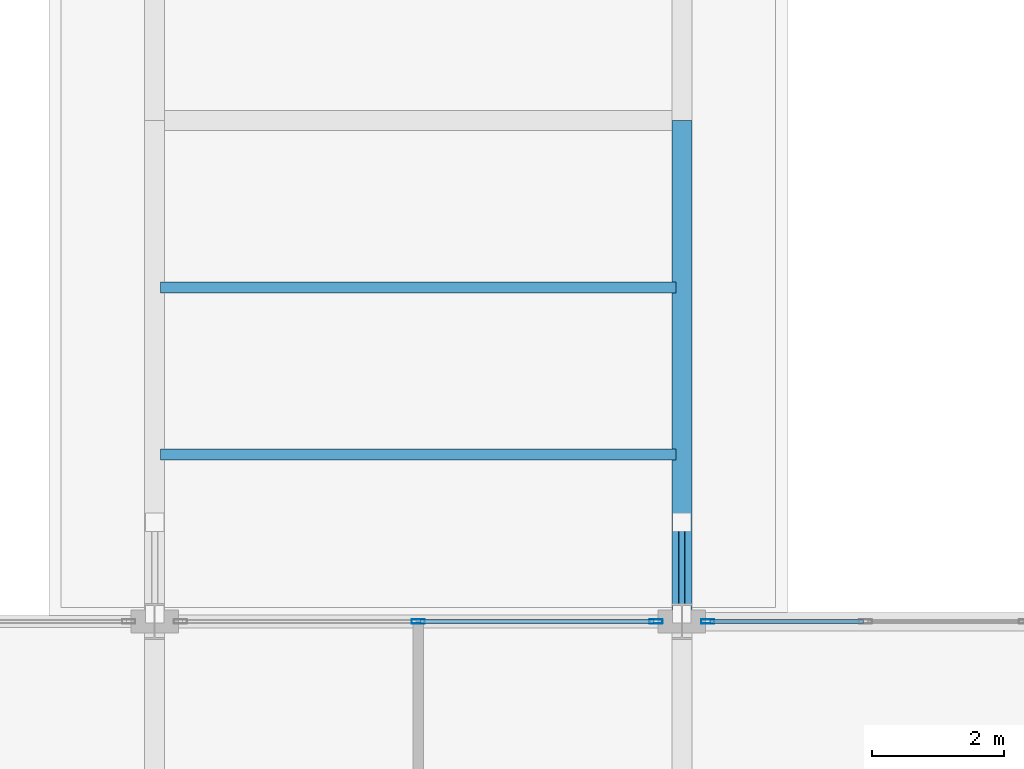
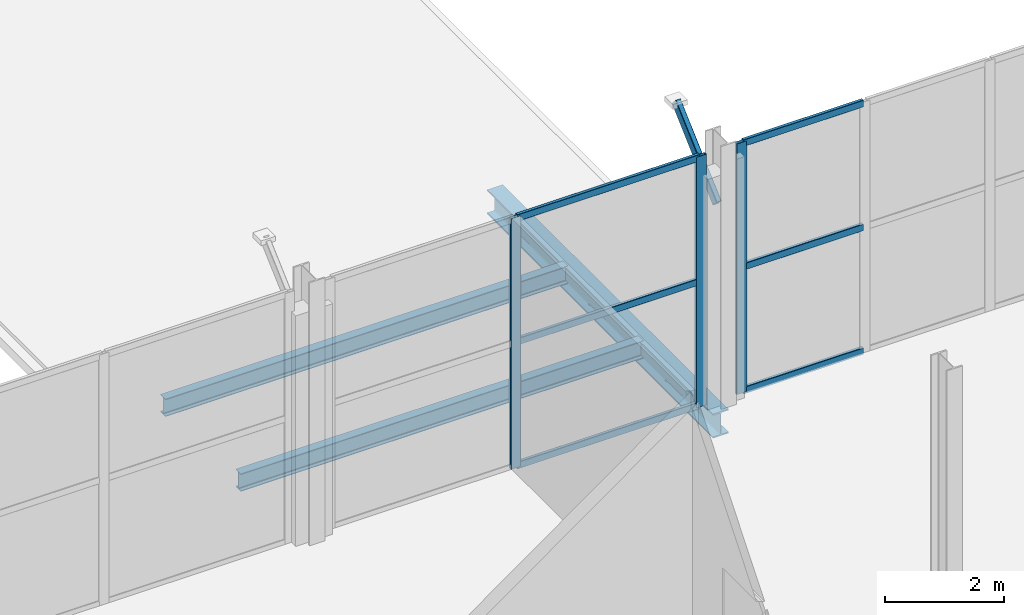
# One storey, part 30 of 147: 10 members, 3 beams, 2 elements without a shape of their own.
"""IFC4 building model written with IfcOpenShell, lengths in metres."""

from ifc_helpers import new_model, si_unit, direction, frame, origin, origin_2d, place, context, subcontext, project, spatial, hollow_rectangle, i_section, extrude, material, layer, layer_set, material_profile, profile_set, type_object, element, aggregate, save


model = new_model("IFC4")

# Units and contexts
model_context = context("Model", 3, precision=1e-05, world=origin(), true_north=direction((0.0, 1.0)))
body_context = subcontext(model_context, "Body", "Model", "MODEL_VIEW")
ifc_project = project(units=[si_unit("LENGTHUNIT", "METRE"), si_unit("AREAUNIT", "SQUARE_METRE"), si_unit("VOLUMEUNIT", "CUBIC_METRE"), si_unit("PLANEANGLEUNIT", "RADIAN"), si_unit("MASSUNIT", "GRAM", prefix="KILO")], contexts=[model_context])

# Site, building, storey
site_placement = place(None, origin())
site = spatial("IfcSite", under=ifc_project, at=site_placement, CompositionType="ELEMENT")
building_placement = place(site_placement, origin())
building = spatial("IfcBuilding", under=site, at=building_placement, Name="Vekula Escarpment Museum", CompositionType="ELEMENT")
storey_placement = place(building_placement, frame((0.0, 0.0, 7.800048828125)))
storey = spatial("IfcBuildingStorey", under=building, at=storey_placement, Name="L02", CompositionType="ELEMENT", Elevation=7.800048828125)

# Beams
ifc_material_1 = material(Name="Steel S355", Category="steel")
ifc_material_profile_1 = material_profile(ifc_material_1, i_section(OverallWidth=0.300048828125, OverallDepth=0.5, WebThickness=0.014404296875, FlangeThickness=0.028076171875, FilletRadius=0.027099609375, at=origin_2d()), Name="HEB 500")
ifc_profile_set_1 = profile_set([ifc_material_profile_1], Name="Steel S355")
beam_type_1 = type_object("IfcBeamType", Name="BM-GIRD-HEB500", PredefinedType="BEAM", material=ifc_profile_set_1)
beam_placement = place(storey_placement, frame((102.0, 15.199951171875, -0.510009765625), z_axis=(0.0, 1.0, 0.0), x_axis=(-1.0, 0.0, 0.0)))
element("IfcBeam", 1, at=beam_placement, inside=storey, type_object=beam_type_1, Name="Beam Y L02 1170", PredefinedType="BEAM", context=body_context, shape_type="SweptSolid", body=[
    extrude(i_section(OverallWidth=0.300048828125, OverallDepth=0.5, WebThickness=0.014404296875, FlangeThickness=0.028076171875, FilletRadius=0.027099609375, at=origin_2d()), origin(), (0.0, 0.0, 1.0), 7.60009765625),
])
ifc_material_2 = material(Name="Steel S355", Category="steel")
ifc_material_profile_2 = material_profile(ifc_material_2, i_section(OverallWidth=0.169921875, OverallDepth=0.360107421875, WebThickness=0.008056640625, FlangeThickness=0.0126953125, FilletRadius=0.01806640625, at=origin_2d()), Name="IPE 360")
ifc_profile_set_2 = profile_set([ifc_material_profile_2], Name="Steel S355")
beam_type_2 = type_object("IfcBeamType", Name="BM-JST-IPE360", PredefinedType="JOIST", material=ifc_profile_set_2)
for number, where, z_axis, x_axis, name in (
    (2, (94.090087890625, 17.7333984375, -0.43994140625), (1.0, 0.0, 0.0), (0.0, 1.0, 0.0), "Secondary Joist L02 0768"),
    (3, (94.090087890625, 20.2666015625, -0.43994140625), (1.0, 0.0, 0.0), (0.0, 1.0, 0.0), "Secondary Joist L02 0769"),
):
    element("IfcBeam", number, at=place(storey_placement, frame(where, z_axis=z_axis, x_axis=x_axis)), inside=storey, type_object=beam_type_2, Name=name, PredefinedType="JOIST", context=body_context, shape_type="SweptSolid", body=[
        extrude(i_section(OverallWidth=0.169921875, OverallDepth=0.360107421875, WebThickness=0.008056640625, FlangeThickness=0.0126953125, FilletRadius=0.01806640625, at=origin_2d()), origin(), (0.0, 0.0, 1.0), 7.81982421875),
    ])

# Curtain wall, member
ifc_material_3 = material(Name="Aluminium thermally broken framing", Category="aluminium")
ifc_layer_1 = layer(ifc_material_3, 0.139892578125)
ifc_layer_set_1 = layer_set([ifc_layer_1], Name="Aluminium thermally broken framing")
curtain_wall_type_1 = type_object("IfcCurtainWallType", Name="CW-SYS-06", PredefinedType="NOTDEFINED", material=ifc_layer_set_1)
curtain_wall_1_placement = place(storey_placement, origin())
curtain_wall_1 = element("IfcCurtainWall", 4, at=curtain_wall_1_placement, inside=storey, type_object=curtain_wall_type_1, Name="Curtain Wall CW-L02-096", PredefinedType="NOTDEFINED")
ifc_material_4 = material(Name="Aluminium anodized mullion", Category="aluminium")
ifc_material_profile_3 = material_profile(ifc_material_4, hollow_rectangle(XDim=0.06494140625, YDim=0.199951171875, WallThickness=0.00390625, InnerFilletRadius=0.00390625, OuterFilletRadius=0.008056640625, at=origin_2d()), Name="ALU 200x65x4")
ifc_profile_set_3 = profile_set([ifc_material_profile_3], Name="Aluminium anodized mullion")
member_type_1 = type_object("IfcMemberType", Name="CW-MUL-200", PredefinedType="MULLION", material=ifc_profile_set_3)
member_1_placement = place(storey_placement, frame((102.392578125, 15.199951171875, 0.0), z_axis=(0.0, 0.0, 1.0), x_axis=(0.0, -1.0, 0.0)))
member_1 = element("IfcMember", 5, at=member_1_placement, type_object=member_type_1, Name="CW-06 mullion 4", PredefinedType="MULLION", context=body_context, shape_type="SweptSolid", body=[
    extrude(hollow_rectangle(XDim=0.06494140625, YDim=0.199951171875, WallThickness=0.00390625, InnerFilletRadius=0.00390625, OuterFilletRadius=0.008056640625, at=origin_2d()), origin(), (0.0, 0.0, 1.0), 5.14990234375),
])

# Curtain wall, members
ifc_material_5 = material(Name="Aluminium thermally broken framing", Category="aluminium")
ifc_layer_2 = layer(ifc_material_5, 0.179931640625)
ifc_layer_set_2 = layer_set([ifc_layer_2], Name="Aluminium thermally broken framing")
curtain_wall_type_2 = type_object("IfcCurtainWallType", Name="CW-SYS-07", PredefinedType="NOTDEFINED", material=ifc_layer_set_2)
curtain_wall_2_placement = place(storey_placement, origin())
curtain_wall_2 = element("IfcCurtainWall", 6, at=curtain_wall_2_placement, inside=storey, type_object=curtain_wall_type_2, Name="Curtain Wall CW-L02-097", PredefinedType="NOTDEFINED")
member_2_placement = place(storey_placement, frame((101.607421875, 15.199951171875, 0.0), z_axis=(0.0, 0.0, 1.0), x_axis=(0.0, -1.0, 0.0)))
member_2 = element("IfcMember", 7, at=member_2_placement, type_object=member_type_1, Name="CW-07 mullion 1", PredefinedType="MULLION", context=body_context, shape_type="SweptSolid", body=[
    extrude(hollow_rectangle(XDim=0.06494140625, YDim=0.199951171875, WallThickness=0.00390625, InnerFilletRadius=0.00390625, OuterFilletRadius=0.008056640625, at=origin_2d()), origin(), (0.0, 0.0, 1.0), 5.14990234375),
])
member_3_placement = place(storey_placement, frame((98.0, 15.199951171875, 0.0), z_axis=(0.0, 0.0, 1.0), x_axis=(0.0, -1.0, 0.0)))
member_3 = element("IfcMember", 8, at=member_3_placement, type_object=member_type_1, Name="CW-07 mullion 2", PredefinedType="MULLION", context=body_context, shape_type="SweptSolid", body=[
    extrude(hollow_rectangle(XDim=0.06494140625, YDim=0.199951171875, WallThickness=0.00390625, InnerFilletRadius=0.00390625, OuterFilletRadius=0.008056640625, at=origin_2d()), origin(), (0.0, 0.0, 1.0), 5.14990234375),
])

# Member
ifc_material_6 = material(Name="Aluminium anodized transom", Category="aluminium")
ifc_material_profile_4 = material_profile(ifc_material_6, hollow_rectangle(XDim=0.06494140625, YDim=0.139892578125, WallThickness=0.00390625, InnerFilletRadius=0.00390625, OuterFilletRadius=0.008056640625, at=origin_2d()), Name="ALU 140x65x4")
ifc_profile_set_4 = profile_set([ifc_material_profile_4], Name="Aluminium anodized transom")
member_type_2 = type_object("IfcMemberType", Name="CW-TRN-140", PredefinedType="USERDEFINED", material=ifc_profile_set_4)
member_4_placement = place(storey_placement, frame((104.754150390625, 15.199951171875, 0.032470703125), z_axis=(-1.0, 0.0, 0.0), x_axis=(0.0, -1.0, 0.0)))
member_4 = element("IfcMember", 9, at=member_4_placement, type_object=member_type_2, Name="CW-06 transom 3.1", ObjectType="TRANSOM", PredefinedType="USERDEFINED", context=body_context, shape_type="SweptSolid", body=[
    extrude(hollow_rectangle(XDim=0.06494140625, YDim=0.139892578125, WallThickness=0.00390625, InnerFilletRadius=0.00390625, OuterFilletRadius=0.008056640625, at=origin_2d()), origin(), (0.0, 0.0, 1.0), 2.3291015625),
])

member_5_placement = place(storey_placement, frame((104.754150390625, 15.199951171875, 2.574951171875), z_axis=(-1.0, 0.0, 0.0), x_axis=(0.0, -1.0, 0.0)))
member_5 = element("IfcMember", 10, at=member_5_placement, type_object=member_type_2, Name="CW-06 transom 3.2", ObjectType="TRANSOM", PredefinedType="USERDEFINED", context=body_context, shape_type="SweptSolid", body=[
    extrude(hollow_rectangle(XDim=0.06494140625, YDim=0.139892578125, WallThickness=0.00390625, InnerFilletRadius=0.00390625, OuterFilletRadius=0.008056640625, at=origin_2d()), origin(), (0.0, 0.0, 1.0), 2.3291015625),
])

member_6_placement = place(storey_placement, frame((104.754150390625, 15.199951171875, 5.117431640625), z_axis=(-1.0, 0.0, 0.0), x_axis=(0.0, -1.0, 0.0)))
member_6 = element("IfcMember", 11, at=member_6_placement, type_object=member_type_2, Name="CW-06 transom 3.3", ObjectType="TRANSOM", PredefinedType="USERDEFINED", context=body_context, shape_type="SweptSolid", body=[
    extrude(hollow_rectangle(XDim=0.06494140625, YDim=0.139892578125, WallThickness=0.00390625, InnerFilletRadius=0.00390625, OuterFilletRadius=0.008056640625, at=origin_2d()), origin(), (0.0, 0.0, 1.0), 2.3291015625),
])

aggregate(curtain_wall_1, [member_1, member_4, member_5, member_6])

member_7_placement = place(storey_placement, frame((101.574951171875, 15.199951171875, 0.032470703125), z_axis=(-1.0, 0.0, 0.0), x_axis=(0.0, -1.0, 0.0)))
member_7 = element("IfcMember", 12, at=member_7_placement, type_object=member_type_2, Name="CW-07 transom 1.1", ObjectType="TRANSOM", PredefinedType="USERDEFINED", context=body_context, shape_type="SweptSolid", body=[
    extrude(hollow_rectangle(XDim=0.06494140625, YDim=0.139892578125, WallThickness=0.00390625, InnerFilletRadius=0.00390625, OuterFilletRadius=0.008056640625, at=origin_2d()), origin(), (0.0, 0.0, 1.0), 3.54248046875),
])

member_8_placement = place(storey_placement, frame((101.574951171875, 15.199951171875, 2.574951171875), z_axis=(-1.0, 0.0, 0.0), x_axis=(0.0, -1.0, 0.0)))
member_8 = element("IfcMember", 13, at=member_8_placement, type_object=member_type_2, Name="CW-07 transom 1.2", ObjectType="TRANSOM", PredefinedType="USERDEFINED", context=body_context, shape_type="SweptSolid", body=[
    extrude(hollow_rectangle(XDim=0.06494140625, YDim=0.139892578125, WallThickness=0.00390625, InnerFilletRadius=0.00390625, OuterFilletRadius=0.008056640625, at=origin_2d()), origin(), (0.0, 0.0, 1.0), 3.54248046875),
])

member_9_placement = place(storey_placement, frame((101.574951171875, 15.199951171875, 5.117431640625), z_axis=(-1.0, 0.0, 0.0), x_axis=(0.0, -1.0, 0.0)))
member_9 = element("IfcMember", 14, at=member_9_placement, type_object=member_type_2, Name="CW-07 transom 1.3", ObjectType="TRANSOM", PredefinedType="USERDEFINED", context=body_context, shape_type="SweptSolid", body=[
    extrude(hollow_rectangle(XDim=0.06494140625, YDim=0.139892578125, WallThickness=0.00390625, InnerFilletRadius=0.00390625, OuterFilletRadius=0.008056640625, at=origin_2d()), origin(), (0.0, 0.0, 1.0), 3.54248046875),
])

aggregate(curtain_wall_2, [member_2, member_3, member_7, member_8, member_9])

ifc_material_7 = material(Name="Steel S355", Category="steel")
ifc_material_profile_5 = material_profile(ifc_material_7, hollow_rectangle(XDim=0.10009765625, YDim=0.199951171875, WallThickness=0.008056640625, InnerFilletRadius=0.008056640625, OuterFilletRadius=0.01611328125, at=origin_2d()), Name="RHS 200x100x8")
ifc_profile_set_5 = profile_set([ifc_material_profile_5], Name="Steel S355")
member_type_3 = type_object("IfcMemberType", Name="MB-SACAK-BRK", PredefinedType="STRUT", material=ifc_profile_set_5)
member_10_placement = place(storey_placement, frame((102.0, 15.320068359375, 3.949951171875), z_axis=(0.0, 0.738454378718, 0.674303441006), x_axis=(-1.0, 0.0, 0.0)))
element("IfcMember", 15, at=member_10_placement, inside=storey, type_object=member_type_3, Name="Ottoman Sacak Eave Bracket L03-0065", PredefinedType="STRUT", context=body_context, shape_type="SweptSolid", body=[
    extrude(hollow_rectangle(XDim=0.10009765625, YDim=0.199951171875, WallThickness=0.008056640625, InnerFilletRadius=0.008056640625, OuterFilletRadius=0.01611328125, at=origin_2d()), origin(), (0.0, 0.0, 1.0), 1.86865234375),
])

save(model, "model.ifc")
